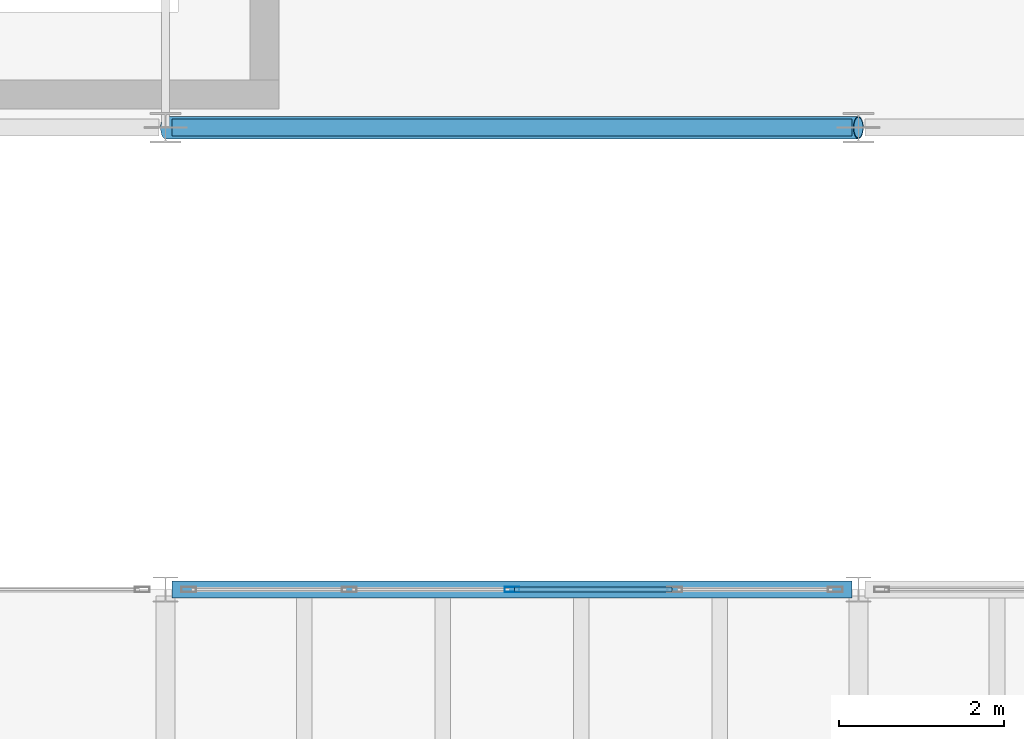
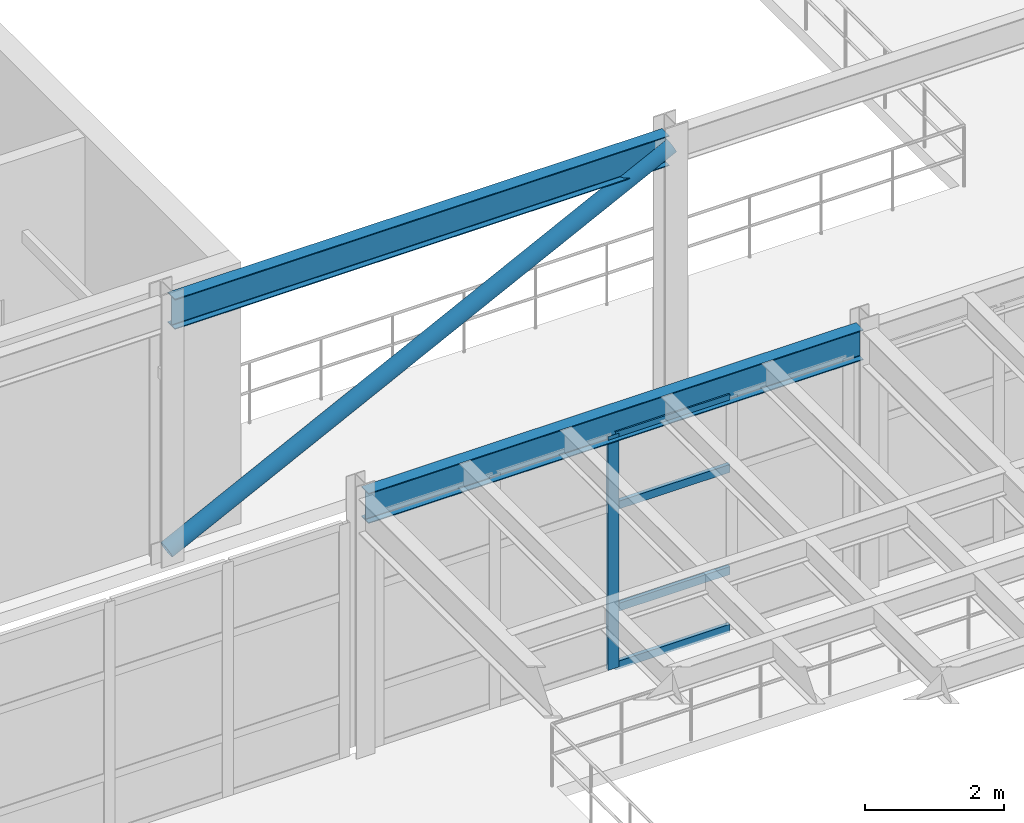
# One storey, part 30 of 105: 6 members, 2 beams, 1 element without a shape of its own.
"""IFC4 building model written with IfcOpenShell, lengths in metres."""

import ifcopenshell
import ifcopenshell.guid

model = None  # the IFC model being written
_history = None  # IfcOwnerHistory: only IFC2X3 demands one
_inside = {}  # id of a spatial element -> (the spatial element, [elements in it])
_under = {}  # id of a project, library or spatial element -> (it, [spatial elements below it])
_declared = {}  # id of a project -> (the project, [libraries it declares])
_typed = {}  # id of a type object -> (the type object, [elements of that type])
_made_of = {}  # id of a material, layer set ... -> (it, [elements and type objects made of it])


def new_model(schema):
    """Start an empty IFC model of exactly this schema.

    Asked for "IFC4X3", IfcOpenShell would pick the latest addendum, in which some entities
    have other attributes; the version numbers below select the first issue.
    IFC2X3 requires an IfcOwnerHistory on every rooted entity: one is made here for all.
    """
    global model, _history
    if schema == "IFC4X3":
        model = ifcopenshell.file(schema_version=(4, 3, 0, 0))
    else:
        model = ifcopenshell.file(schema=schema)
    _inside.clear()
    _under.clear()
    _declared.clear()
    _typed.clear()
    _made_of.clear()
    _history = None
    if model.schema == "IFC2X3":
        org = make("IfcOrganization", Name="unknown")
        user = make(
            "IfcPersonAndOrganization",
            ThePerson=make("IfcPerson", FamilyName="unknown"),
            TheOrganization=org,
        )
        app = make(
            "IfcApplication",
            ApplicationDeveloper=org,
            Version="unknown",
            ApplicationFullName="unknown",
            ApplicationIdentifier="unknown",
        )
        _history = make(
            "IfcOwnerHistory",
            OwningUser=user,
            OwningApplication=app,
            ChangeAction="ADDED",
            CreationDate=0,
        )
    return model


def make(cls, **values):
    """One entity of the class cls with the attributes given. An attribute that is None is left unset."""
    return model.create_entity(
        cls, **{name: value for name, value in values.items() if value is not None}
    )


def rooted(cls, **values):
    """An entity with a GlobalId (a new one), such as an element, a storey or a relation."""
    return make(cls, GlobalId=ifcopenshell.guid.new(), OwnerHistory=_history, **values)


def si_unit(unit_type, name, prefix=None):
    """IfcSIUnit, for example si_unit("LENGTHUNIT", "METRE", prefix="MILLI")."""
    return make("IfcSIUnit", UnitType=unit_type, Prefix=prefix, Name=name)


def assignment(units):
    """IfcUnitAssignment: the units of a project."""
    return None if units is None else make("IfcUnitAssignment", Units=units)


def point(xyz):
    """IfcCartesianPoint."""
    return None if xyz is None else make("IfcCartesianPoint", Coordinates=xyz)


def direction(xyz):
    """IfcDirection."""
    return None if xyz is None else make("IfcDirection", DirectionRatios=xyz)


def frame(location, z_axis=None, x_axis=None):
    """IfcAxis2Placement3D, a coordinate frame: its origin and axes. An axis left out is left unset."""
    return make(
        "IfcAxis2Placement3D",
        Location=point(location),
        Axis=direction(z_axis),
        RefDirection=direction(x_axis),
    )


def frame_2d(location, x_axis=None):
    """IfcAxis2Placement2D, a coordinate frame in the plane: its origin and x axis."""
    return make(
        "IfcAxis2Placement2D", Location=point(location), RefDirection=direction(x_axis)
    )


def origin():
    """The frame at (0, 0, 0) with its axes left unset."""
    return frame((0.0, 0.0, 0.0))


def origin_2d():
    """The frame at (0, 0) in the plane with its x axis left unset."""
    return frame_2d((0.0, 0.0))


def place(relative_to, where):
    """IfcLocalPlacement: puts the frame where relative to a parent placement (None: the world)."""
    return make(
        "IfcLocalPlacement", PlacementRelTo=relative_to, RelativePlacement=where
    )


def context(
    kind, dimensions, precision=None, world=None, true_north=None, identifier=None
):
    """IfcGeometricRepresentationContext, for example the 3D "Model" context."""
    return make(
        "IfcGeometricRepresentationContext",
        ContextIdentifier=identifier,
        ContextType=kind,
        CoordinateSpaceDimension=dimensions,
        Precision=precision,
        WorldCoordinateSystem=world,
        TrueNorth=true_north,
    )


def subcontext(parent, identifier, kind, view, scale=None):
    """IfcGeometricRepresentationSubContext, for example "Body" below "Model"."""
    return make(
        "IfcGeometricRepresentationSubContext",
        ContextIdentifier=identifier,
        ContextType=kind,
        ParentContext=parent,
        TargetScale=scale,
        TargetView=view,
    )


def project(units=None, contexts=None):
    """IfcProject with its units and contexts."""
    return rooted(
        "IfcProject",
        Name="project",
        RepresentationContexts=contexts,
        UnitsInContext=assignment(units),
    )


def spatial(cls, under=None, at=None, **own):
    """A site, building, storey or space (cls), placed at a placement, below another one or the project."""
    s = rooted(cls, ObjectPlacement=at, **own)
    if under is not None:
        _under.setdefault(under.id(), (under, []))[1].append(s)
    return s


def profile(cls, at=None, kind="AREA", **sizes):
    """A parametric profile (cls). Its sizes go by their IFC names, for example OverallWidth=200.0."""
    return make(cls, ProfileType=kind, Position=at, **sizes)


def hollow_rectangle(**sizes):
    """IfcRectangleHollowProfileDef."""
    return profile("IfcRectangleHollowProfileDef", **sizes)


def hollow_circle(**sizes):
    """IfcCircleHollowProfileDef."""
    return profile("IfcCircleHollowProfileDef", **sizes)


def i_section(**sizes):
    """IfcIShapeProfileDef."""
    return profile("IfcIShapeProfileDef", **sizes)


def extrude(swept, where, along, depth):
    """IfcExtrudedAreaSolid: the profile swept, set in the frame where, extruded along a direction by depth."""
    return make(
        "IfcExtrudedAreaSolid",
        SweptArea=swept,
        Position=where,
        ExtrudedDirection=direction(along),
        Depth=depth,
    )


def shape(context_of_items, identifier, shape_type, items):
    """IfcShapeRepresentation: the items that make up one representation, for example the "Body"."""
    return make(
        "IfcShapeRepresentation",
        ContextOfItems=context_of_items,
        RepresentationIdentifier=identifier,
        RepresentationType=shape_type,
        Items=items,
    )


def material(Name=None, Category=None):
    """IfcMaterial."""
    return make("IfcMaterial", Name=Name, Category=Category)


def layer(
    of_material, thickness, ventilated=None, Name=None, Category=None, Priority=None
):
    """IfcMaterialLayer: one layer of a wall or slab, of a material (None: an air gap)."""
    return make(
        "IfcMaterialLayer",
        Material=of_material,
        LayerThickness=thickness,
        IsVentilated=ventilated,
        Name=Name,
        Category=Category,
        Priority=Priority,
    )


def layer_set(layers, Name=None):
    """IfcMaterialLayerSet."""
    return make("IfcMaterialLayerSet", MaterialLayers=layers, LayerSetName=Name)


def material_profile(
    of_material, cross_section, Name=None, Category=None, Priority=None
):
    """IfcMaterialProfile: a cross section and its material."""
    return make(
        "IfcMaterialProfile",
        Name=Name,
        Material=of_material,
        Profile=cross_section,
        Priority=Priority,
        Category=Category,
    )


def profile_set(profiles, Name=None, composite=None):
    """IfcMaterialProfileSet."""
    return make(
        "IfcMaterialProfileSet",
        Name=Name,
        MaterialProfiles=profiles,
        CompositeProfile=composite,
    )


def made_of(thing, what):
    """Note that an element or type object is made of a material, layer set ...; save() writes the relation."""
    if what is not None:
        _made_of.setdefault(what.id(), (what, []))[1].append(thing)
    return thing


def type_object(cls, material=None, **own):
    """A type object (cls), such as IfcWallType, which elements share."""
    return made_of(rooted(cls, **own), material)


def element(
    cls,
    number,
    at=None,
    inside=None,
    cuts=None,
    type_object=None,
    material=None,
    context=None,
    identifier="Body",
    shape_type=None,
    held_by="IfcProductDefinitionShape",
    body=None,
    shapes=None,
    **own,
):
    """One element of the class cls, such as IfcWall. Its Tag is "e" and its number.

    at: its placement. inside: the storey or other place that contains it. cuts: it is an
    opening in that element (IfcRelVoidsElement). A single representation is given by context,
    identifier, shape_type and body (its items); several are given by shapes. held_by: the class
    of the entity that holds the representations. save() writes the other relations.
    """
    e = rooted(cls, Tag="e%d" % number, ObjectPlacement=at, **own)
    if body is not None:
        shapes = [shape(context, identifier, shape_type, body)]
    if shapes is not None:
        e.Representation = make(held_by, Representations=shapes)
    if inside is not None:
        _inside.setdefault(inside.id(), (inside, []))[1].append(e)
    if cuts is not None:
        rooted(
            "IfcRelVoidsElement", RelatingBuildingElement=cuts, RelatedOpeningElement=e
        )
    if type_object is not None:
        _typed.setdefault(type_object.id(), (type_object, []))[1].append(e)
    return made_of(e, material)


def aggregate(whole, parts):
    """IfcRelAggregates: a whole, such as a stair, and the parts it consists of."""
    return rooted("IfcRelAggregates", RelatingObject=whole, RelatedObjects=parts)


def save(model, path):
    """Write the relations noted so far, then the file.

    IfcRelAggregates (storeys below a building ...), IfcRelContainedInSpatialStructure (elements
    in a storey), IfcRelDefinesByType, IfcRelAssociatesMaterial and IfcRelDeclares: one each for
    every whole, place, type object, material and project.
    """
    for whole, parts in _under.values():
        aggregate(whole, parts)
    for where, things in _inside.values():
        rooted(
            "IfcRelContainedInSpatialStructure",
            RelatedElements=things,
            RelatingStructure=where,
        )
    for kind, things in _typed.values():
        rooted("IfcRelDefinesByType", RelatedObjects=things, RelatingType=kind)
    for what, things in _made_of.values():
        rooted("IfcRelAssociatesMaterial", RelatedObjects=things, RelatingMaterial=what)
    for by, libraries in _declared.values():
        rooted("IfcRelDeclares", RelatingContext=by, RelatedDefinitions=libraries)
    model.write(path)


model = new_model("IFC4")

# Units and contexts
model_context = context("Model", 3, precision=1e-05, world=origin(), true_north=direction((0.0, 1.0)))
body_context = subcontext(model_context, "Body", "Model", "MODEL_VIEW")
ifc_project = project(units=[si_unit("LENGTHUNIT", "METRE"), si_unit("AREAUNIT", "SQUARE_METRE"), si_unit("VOLUMEUNIT", "CUBIC_METRE"), si_unit("PLANEANGLEUNIT", "RADIAN"), si_unit("MASSUNIT", "GRAM", prefix="KILO")], contexts=[model_context])

# Site, building, storey
site_placement = place(None, origin())
site = spatial("IfcSite", under=ifc_project, at=site_placement, CompositionType="ELEMENT")
building_placement = place(site_placement, origin())
building = spatial("IfcBuilding", under=site, at=building_placement, Name="Selat Folded Stagehouse", CompositionType="ELEMENT")
storey_placement = place(building_placement, frame((0.0, 0.0, 10.199951171875)))
storey = spatial("IfcBuildingStorey", under=building, at=storey_placement, Name="L02", CompositionType="ELEMENT", Elevation=10.199951171875)

# Beams
ifc_material_1 = material(Name="Steel S355", Category="steel")
ifc_material_profile_1 = material_profile(ifc_material_1, i_section(OverallWidth=0.209228515625, OverallDepth=0.533203125, WebThickness=0.010009765625, FlangeThickness=0.015625, FilletRadius=0.0126953125, at=origin_2d()), Name="UKB 533x210x92")
ifc_profile_set_1 = profile_set([ifc_material_profile_1], Name="Steel S355")
beam_type = type_object("IfcBeamType", Name="BM-GIRD-533x210x92", PredefinedType="BEAM", material=ifc_profile_set_1)
beam_1_placement = place(storey_placement, frame((42.076904296875, 17.800048828125, 4.308349609375), z_axis=(1.0, 0.0, 0.0), x_axis=(0.0, 1.0, 0.0)))
element("IfcBeam", 1, at=beam_1_placement, inside=storey, type_object=beam_type, Name="L02 primary x-girder 1000", PredefinedType="BEAM", context=body_context, shape_type="SweptSolid", body=[
    extrude(i_section(OverallWidth=0.209228515625, OverallDepth=0.533203125, WebThickness=0.010009765625, FlangeThickness=0.015625, FilletRadius=0.0126953125, at=origin_2d()), origin(), (0.0, 0.0, 1.0), 8.24609375),
])
beam_2_placement = place(storey_placement, frame((42.080078125, 23.39990234375, 4.33349609375), z_axis=(1.0, 0.0, 0.0), x_axis=(0.0, 1.0, 0.0)))
element("IfcBeam", 2, at=beam_2_placement, inside=storey, type_object=beam_type, Name="L02 primary x-girder 1011", PredefinedType="BEAM", context=body_context, shape_type="SweptSolid", body=[
    extrude(i_section(OverallWidth=0.209228515625, OverallDepth=0.533203125, WebThickness=0.010009765625, FlangeThickness=0.015625, FilletRadius=0.0126953125, at=origin_2d()), origin(), (0.0, 0.0, 1.0), 8.239990234375),
])

# Curtain wall, members
ifc_material_2 = material(Name="Aluminium 6063-T6", Category="aluminium")
ifc_layer = layer(ifc_material_2, 0.195068359375)
ifc_layer_set = layer_set([ifc_layer], Name="Aluminium 6063-T6")
curtain_wall_type = type_object("IfcCurtainWallType", Name="CW-FYR-COURT", PredefinedType="NOTDEFINED", material=ifc_layer_set)
curtain_wall_placement = place(storey_placement, origin())
curtain_wall = element("IfcCurtainWall", 3, at=curtain_wall_placement, inside=storey, type_object=curtain_wall_type, Name="L02 curtain wall CW-FYR-L02-08", PredefinedType="NOTDEFINED")
ifc_material_profile_2 = material_profile(ifc_material_2, hollow_rectangle(XDim=0.06494140625, YDim=0.179931640625, WallThickness=0.00390625, at=origin_2d()), Name="ALU 180x65x4.0")
ifc_profile_set_2 = profile_set([ifc_material_profile_2], Name="Aluminium 6063-T6")
member_type_1 = type_object("IfcMemberType", Name="CWM-MUL-180x65", PredefinedType="MULLION", material=ifc_profile_set_2)
member_1_placement = place(storey_placement, frame((46.199951171875, 17.800048828125, 0.0), z_axis=(0.0, 0.0, 1.0), x_axis=(0.0, 1.0, 0.0)))
member_1 = element("IfcMember", 4, at=member_1_placement, type_object=member_type_1, Name="CW-05 mullion 3", PredefinedType="MULLION", context=body_context, shape_type="SweptSolid", body=[
    extrude(hollow_rectangle(XDim=0.06494140625, YDim=0.179931640625, WallThickness=0.00390625, at=origin_2d()), origin(), (0.0, 0.0, 1.0), 4.1201171875),
])
ifc_material_profile_3 = material_profile(ifc_material_2, hollow_rectangle(XDim=0.06494140625, YDim=0.139892578125, WallThickness=0.00390625, at=origin_2d()), Name="ALU 140x65x4.0")
ifc_profile_set_3 = profile_set([ifc_material_profile_3], Name="Aluminium 6063-T6")
member_type_2 = type_object("IfcMemberType", Name="CWM-TRN-140x65", PredefinedType="USERDEFINED", material=ifc_profile_set_3)
member_2_placement = place(storey_placement, frame((46.232421875, 17.800048828125, 0.032470703125), z_axis=(1.0, 0.0, 0.0), x_axis=(0.0, 1.0, 0.0)))
member_2 = element("IfcMember", 5, at=member_2_placement, type_object=member_type_2, Name="CW-05 transom 3.1", ObjectType="TRANSOM", PredefinedType="USERDEFINED", context=body_context, shape_type="SweptSolid", body=[
    extrude(hollow_rectangle(XDim=0.06494140625, YDim=0.139892578125, WallThickness=0.00390625, at=origin_2d()), origin(), (0.0, 0.0, 1.0), 1.91015625),
])
member_3_placement = place(storey_placement, frame((46.232421875, 17.800048828125, 1.050048828125), z_axis=(1.0, 0.0, 0.0), x_axis=(0.0, 1.0, 0.0)))
member_3 = element("IfcMember", 6, at=member_3_placement, type_object=member_type_2, Name="CW-05 transom 3.2", ObjectType="TRANSOM", PredefinedType="USERDEFINED", context=body_context, shape_type="SweptSolid", body=[
    extrude(hollow_rectangle(XDim=0.06494140625, YDim=0.139892578125, WallThickness=0.00390625, at=origin_2d()), origin(), (0.0, 0.0, 1.0), 1.91015625),
])
member_4_placement = place(storey_placement, frame((46.232421875, 17.800048828125, 2.85009765625), z_axis=(1.0, 0.0, 0.0), x_axis=(0.0, 1.0, 0.0)))
member_4 = element("IfcMember", 7, at=member_4_placement, type_object=member_type_2, Name="CW-05 transom 3.3", ObjectType="TRANSOM", PredefinedType="USERDEFINED", context=body_context, shape_type="SweptSolid", body=[
    extrude(hollow_rectangle(XDim=0.06494140625, YDim=0.139892578125, WallThickness=0.00390625, at=origin_2d()), origin(), (0.0, 0.0, 1.0), 1.91015625),
])
member_5_placement = place(storey_placement, frame((46.232421875, 17.800048828125, 4.087646484375), z_axis=(1.0, 0.0, 0.0), x_axis=(0.0, 1.0, 0.0)))
member_5 = element("IfcMember", 8, at=member_5_placement, type_object=member_type_2, Name="CW-05 transom 3.4", ObjectType="TRANSOM", PredefinedType="USERDEFINED", context=body_context, shape_type="SweptSolid", body=[
    extrude(hollow_rectangle(XDim=0.06494140625, YDim=0.139892578125, WallThickness=0.00390625, at=origin_2d()), origin(), (0.0, 0.0, 1.0), 1.91015625),
])
aggregate(curtain_wall, [member_1, member_2, member_3, member_4, member_5])

# Member
ifc_material_profile_4 = material_profile(ifc_material_1, hollow_circle(Radius=0.136474609375, WallThickness=0.012451171875, at=origin_2d()), Name="CHS 273.0x12.5")
ifc_profile_set_4 = profile_set([ifc_material_profile_4], Name="Steel S355")
member_type_3 = type_object("IfcMemberType", Name="MEM-BRACE-CHS273", PredefinedType="BRACE", material=ifc_profile_set_4)
member_6_placement = place(storey_placement, frame((42.0, 23.39990234375, 0.150146484375), z_axis=(0.894427191, 0.0, 0.4472135955), x_axis=(0.0, 1.0, 0.0)))
element("IfcMember", 9, at=member_6_placement, inside=storey, type_object=member_type_3, Name="L02 vertical frame brace 03", PredefinedType="BRACE", context=body_context, shape_type="SweptSolid", body=[
    extrude(hollow_circle(Radius=0.136474609375, WallThickness=0.012451171875, at=origin_2d()), origin(), (0.0, 0.0, 1.0), 9.391357421875),
])

save(model, "model.ifc")
